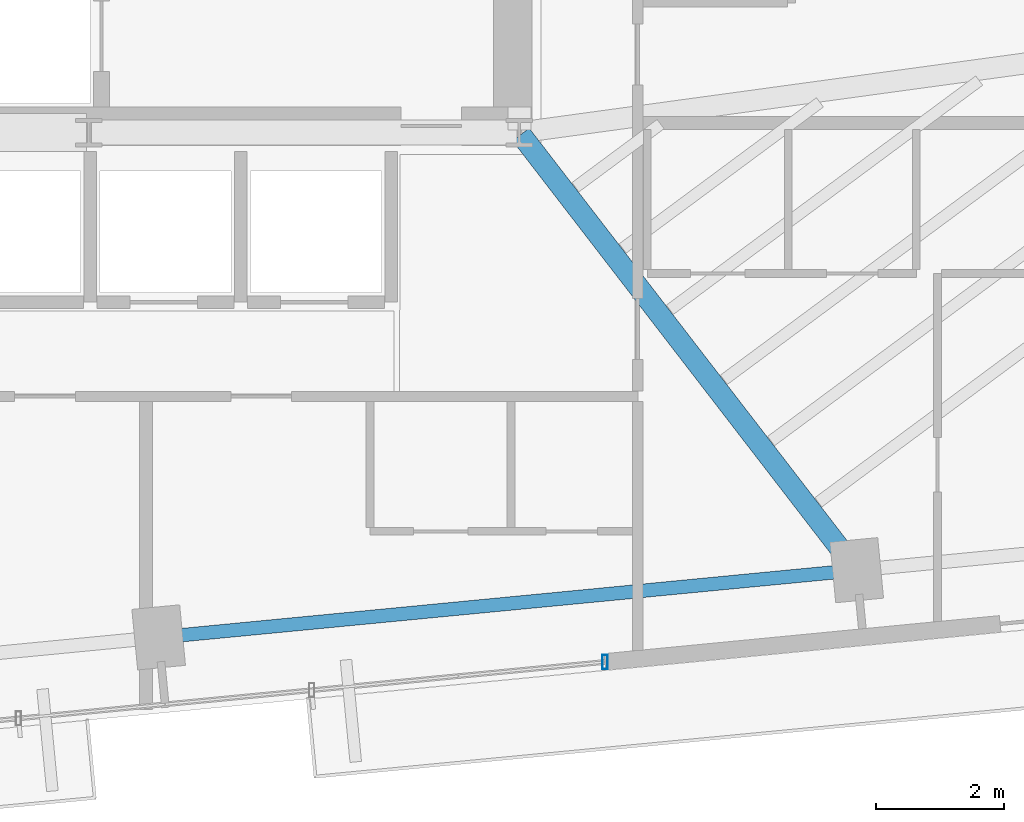
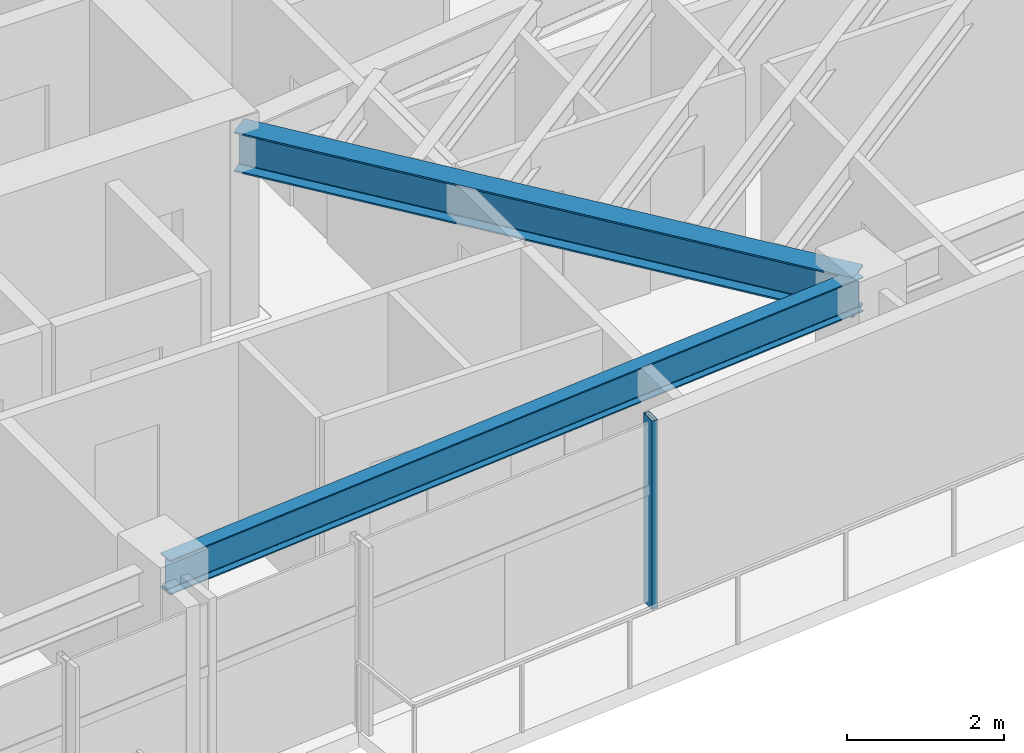
# One storey, part 8 of 18: 2 beams, 1 member, 1 element without a shape of its own.
"""IFC4 building model written with IfcOpenShell, lengths in metres."""

from ifc_helpers import new_model, si_unit, direction, frame, origin, origin_2d, place, context, subcontext, project, spatial, hollow_rectangle, i_section, extrude, source, transform, mapped, material, material_profile, profile_set, type_object, type_shapes, element, aggregate, save


model = new_model("IFC4")

# Units and contexts
model_context = context("Model", 3, precision=1e-05, world=origin(), true_north=direction((0.0, 1.0)))
body_context = subcontext(model_context, "Body", "Model", "MODEL_VIEW")
ifc_project = project(units=[si_unit("LENGTHUNIT", "METRE"), si_unit("AREAUNIT", "SQUARE_METRE"), si_unit("VOLUMEUNIT", "CUBIC_METRE"), si_unit("PLANEANGLEUNIT", "RADIAN"), si_unit("MASSUNIT", "GRAM", prefix="KILO")], contexts=[model_context])

# Site, building, storey
site_placement = place(None, origin())
site = spatial("IfcSite", under=ifc_project, at=site_placement, CompositionType="ELEMENT")
building_placement = place(site_placement, origin())
building = spatial("IfcBuilding", under=site, at=building_placement, Name="Astriad Promenade Condominiums", CompositionType="ELEMENT")
storey_placement = place(building_placement, frame((0.0, 0.0, 185.800048828125)))
storey = spatial("IfcBuildingStorey", under=building, at=storey_placement, Name="L53", CompositionType="ELEMENT", Elevation=185.800048828125)

# Beams
ifc_material_1 = material(Name="Steel ASTM A992 Grade 50", Category="steel")
ifc_material_profile_1 = material_profile(ifc_material_1, i_section(OverallWidth=0.210693359375, OverallDepth=0.53955078125, WebThickness=0.01171875, FlangeThickness=0.018798828125, FilletRadius=0.0166015625, at=origin_2d()), Name="W21X73")
ifc_profile_set_1 = profile_set([ifc_material_profile_1], Name="Steel ASTM A992 Grade 50")
beam_type_1 = type_object("IfcBeamType", Name="STEEL SPANDREL BEAM W21X73", PredefinedType="SPANDREL", material=ifc_profile_set_1)
shared_shape_1 = source(origin(), body_context, "Body", "SweptSolid", [
    extrude(i_section(OverallWidth=0.210693359375, OverallDepth=0.53955078125, WebThickness=0.01171875, FlangeThickness=0.018798828125, FilletRadius=0.0166015625, at=origin_2d()), origin(), (0.0, 0.0, 1.0), 10.8701171875),
])
type_shapes(beam_type_1, [shared_shape_1])
beam_1_placement = place(storey_placement, frame((40.008544921875, 9.520751953125, 2.670166015625), z_axis=(0.995397128983, 0.095836087217, 0.0), x_axis=(-0.095836087217, 0.995397128983, 0.0)))
element("IfcBeam", 1, at=beam_1_placement, inside=storey, type_object=beam_type_1, Name="Perimeter Spandrel Beam SP-S3-L53", PredefinedType="SPANDREL", context=body_context, shape_type="MappedRepresentation", body=[
    mapped(shared_shape_1, transform((0.0, 0.0, 0.0), scale=1.0)),
])
ifc_material_profile_2 = material_profile(ifc_material_1, i_section(OverallWidth=0.326416015625, OverallDepth=0.621826171875, WebThickness=0.015380859375, FlangeThickness=0.0244140625, FilletRadius=0.017822265625, at=origin_2d()), Name="W24X131")
ifc_profile_set_2 = profile_set([ifc_material_profile_2], Name="Steel ASTM A992 Grade 50")
beam_type_2 = type_object("IfcBeamType", Name="STEEL FLOOR GIRDER W24X131", PredefinedType="BEAM", material=ifc_profile_set_2)
shared_shape_2 = source(origin(), body_context, "Body", "SweptSolid", [
    extrude(i_section(OverallWidth=0.326416015625, OverallDepth=0.621826171875, WebThickness=0.015380859375, FlangeThickness=0.0244140625, FilletRadius=0.017822265625, at=origin_2d()), origin(), (0.0, 0.0, 1.0), 8.548583984375),
])
type_shapes(beam_type_2, [shared_shape_2])
beam_2_placement = place(storey_placement, frame((50.843994140625, 10.59814453125, 2.629150390625), z_axis=(-0.610561975536, 0.791968480452, 0.0), x_axis=(-0.791968480452, -0.610561975536, 0.0)))
element("IfcBeam", 2, at=beam_2_placement, inside=storey, type_object=beam_type_2, Name="Primary Floor Girder PG-E2-L53", PredefinedType="BEAM", context=body_context, shape_type="MappedRepresentation", body=[
    mapped(shared_shape_2, transform((0.0, 0.0, 0.0), scale=1.0)),
])

# Curtain wall, member
ifc_material_2 = material(Name="Anodised aluminium Black Dark Glass Unitised", Category="aluminium")
curtain_wall_type = type_object("IfcCurtainWallType", Name="CW-B34-DARK", PredefinedType="USERDEFINED", material=ifc_material_2)
curtain_wall_placement = place(storey_placement, origin())
curtain_wall = element("IfcCurtainWall", 3, at=curtain_wall_placement, inside=storey, type_object=curtain_wall_type, Name="CW-L53-S", ObjectType="UNITISED_CURTAIN_WALL", PredefinedType="USERDEFINED")
ifc_material_3 = material(Name="Anodised aluminium 6063-T6 Black", Category="aluminium")
ifc_material_profile_3 = material_profile(ifc_material_3, hollow_rectangle(XDim=0.0849609375, YDim=0.219970703125, WallThickness=0.0048828125, at=origin_2d()), Name="ALU-MUL-85X220")
ifc_profile_set_3 = profile_set([ifc_material_profile_3], Name="Anodised aluminium 6063-T6 Black")
member_type = type_object("IfcMemberType", Name="MUL-ALU-MUL-85X220", PredefinedType="MULLION", material=ifc_profile_set_3)
shared_shape_3 = source(origin(), body_context, "Body", "SweptSolid", [
    extrude(hollow_rectangle(XDim=0.0849609375, YDim=0.219970703125, WallThickness=0.0048828125, at=origin_2d()), origin(), (0.0, 0.0, 1.0), 2.93994140625),
])
type_shapes(member_type, [shared_shape_3])
member_placement = place(storey_placement, frame((46.9375, 9.133056640625, 0.0), z_axis=(0.0, 0.0, 1.0), x_axis=(1.0, 0.0, 0.0)))
member = element("IfcMember", 4, at=member_placement, type_object=member_type, Name="CW-L53-S-MUL-00", PredefinedType="MULLION", context=body_context, shape_type="MappedRepresentation", body=[
    mapped(shared_shape_3, transform((0.0, 0.0, 0.0), scale=1.0)),
])
aggregate(curtain_wall, [member])

save(model, "model.ifc")
